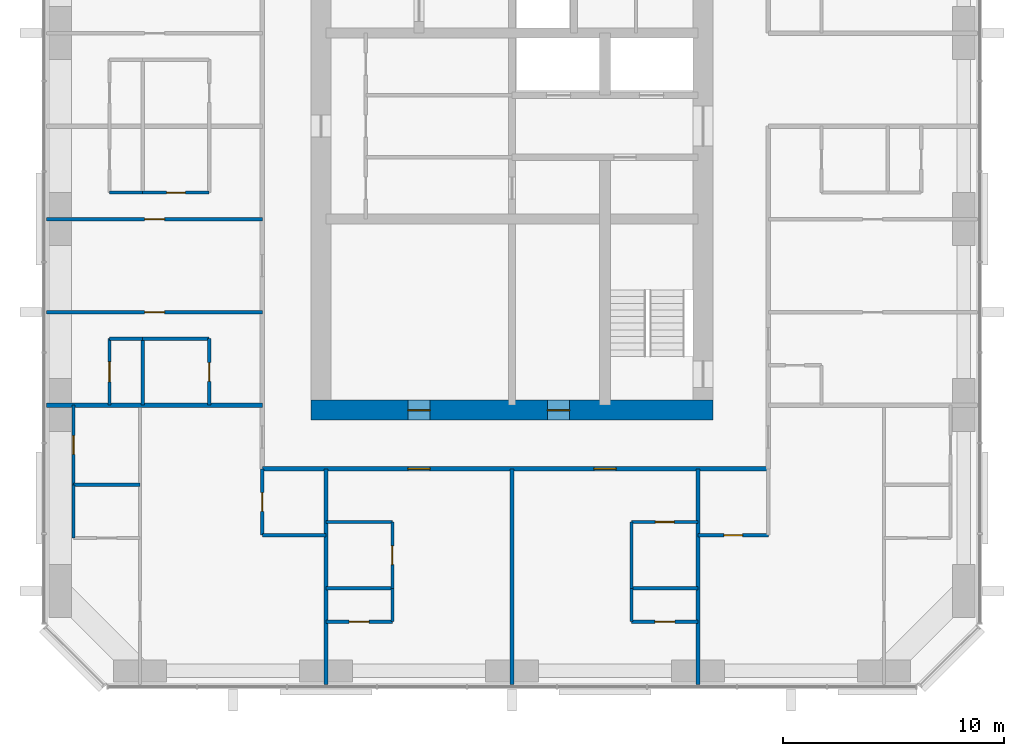
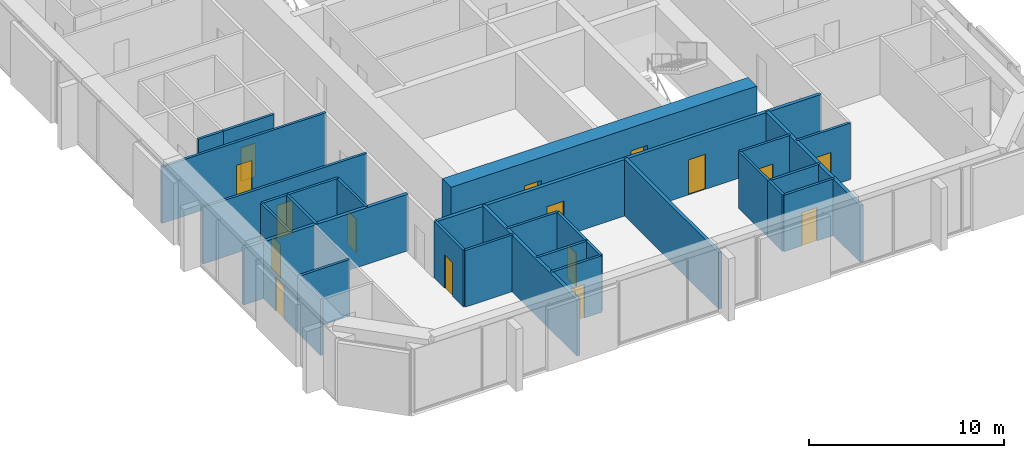
# One storey, part 7 of 12: 31 walls, 16 doors, 16 openings.
"""IFC4 building model written with IfcOpenShell, lengths in metres."""

from ifc_helpers import new_model, si_unit, direction, frame, frame_2d, origin, place, context, subcontext, project, spatial, rectangle, extrude, material, layer, layer_set, type_object, element, fill, save


model = new_model("IFC4")

# Units and contexts
model_context = context("Model", 3, precision=1e-05, world=origin(), true_north=direction((0.0, 1.0)))
body_context = subcontext(model_context, "Body", "Model", "MODEL_VIEW")
ifc_project = project(units=[si_unit("LENGTHUNIT", "METRE"), si_unit("AREAUNIT", "SQUARE_METRE"), si_unit("VOLUMEUNIT", "CUBIC_METRE"), si_unit("PLANEANGLEUNIT", "RADIAN"), si_unit("MASSUNIT", "GRAM", prefix="KILO")], contexts=[model_context])

# Site, building, storey
site_placement = place(None, origin())
site = spatial("IfcSite", under=ifc_project, at=site_placement, CompositionType="ELEMENT")
building_placement = place(site_placement, origin())
building = spatial("IfcBuilding", under=site, at=building_placement, Name="Dunama Terrace Hotel", CompositionType="ELEMENT")
storey_placement = place(building_placement, frame((0.0, 0.0, 237.300048828125)))
storey = spatial("IfcBuildingStorey", under=building, at=storey_placement, Name="L61", CompositionType="ELEMENT", Elevation=237.300048828125)

# Wall, opening, door
ifc_material_1 = material(Name="Gypsum board partition", Category="masonry")
ifc_layer_1 = layer(ifc_material_1, 0.14990234375)
ifc_layer_set_1 = layer_set([ifc_layer_1], Name="Bathroom partition 150")
wall_type_1 = type_object("IfcWallType", Name="Bathroom partition 150", PredefinedType="PARTITIONING", material=ifc_layer_set_1)
wall_1_placement = place(storey_placement, frame((13.800048828125, 13.199951171875, 0.0), z_axis=(0.0, 0.0, 1.0), x_axis=(0.0, 1.0, 0.0)))
wall_1 = element("IfcWall", 1, at=wall_1_placement, inside=storey, type_object=wall_type_1, Name="Bathroom partition 150 L61", PredefinedType="PARTITIONING", context=body_context, shape_type="SweptSolid", body=[
    extrude(rectangle(XDim=3.60009765625, YDim=0.14990234375, at=frame_2d((1.800048828125, 0.0))), origin(), (0.0, 0.0, 1.0), 3.550048828125),
])
opening_1_placement = place(wall_1_placement, frame((1.375, 0.0, 0.0)))
opening_1 = element("IfcOpeningElement", 2, at=opening_1_placement, cuts=wall_1, Name="Opening L61-047", PredefinedType="OPENING", context=body_context, shape_type="SweptSolid", body=[
    extrude(rectangle(XDim=0.85009765625, YDim=2.10009765625, at=frame_2d((0.425048828125, 1.050048828125))), frame((0.0, 0.0849609375, 0.0), z_axis=(0.0, -1.0, 0.0), x_axis=(1.0, 0.0, 0.0)), (0.0, 0.0, 1.0), 0.169921875),
])
ifc_material_2 = material(Name="Timber door with steel frame", Category="steel")
door_type_1 = type_object("IfcDoorType", Name="Bathroom door 850", OperationType="SINGLE_SWING_LEFT", PredefinedType="DOOR", material=ifc_material_2)
door_1_placement = place(opening_1_placement, frame((0.85009765625, 0.0, 0.0), z_axis=(0.0, 0.0, 1.0), x_axis=(-1.0, 0.0, 0.0)))
door_1 = element("IfcDoor", 3, at=door_1_placement, inside=storey, type_object=door_type_1, Name="Door to en-suite bathroom L61-047, type D2", OperationType="SINGLE_SWING_LEFT", OverallHeight=2.10009765625, OverallWidth=0.85009765625, PredefinedType="DOOR", context=body_context, shape_type="SweptSolid", body=[
    extrude(rectangle(XDim=0.85009765625, YDim=2.10009765625, at=frame_2d((0.425048828125, 1.050048828125))), frame((0.0, 0.025146484375, 0.0), z_axis=(0.0, -1.0, 0.0), x_axis=(1.0, 0.0, 0.0)), (0.0, 0.0, 1.0), 0.050048828125),
])
fill(opening_1, door_1)

wall_2_placement = place(storey_placement, frame((19.925048828125, 16.800048828125, 0.0), z_axis=(0.0, 0.0, 1.0), x_axis=(0.0, 1.0, 0.0)))
wall_2 = element("IfcWall", 4, at=wall_2_placement, inside=storey, type_object=wall_type_1, Name="Bathroom partition 150 L61", PredefinedType="PARTITIONING", context=body_context, shape_type="SweptSolid", body=[
    extrude(rectangle(XDim=3.0, YDim=0.14990234375, at=frame_2d((1.5, 0.0))), origin(), (0.0, 0.0, 1.0), 3.550048828125),
])
opening_2_placement = place(wall_2_placement, frame((1.074951171875, 0.0, 0.0)))
opening_2 = element("IfcOpeningElement", 5, at=opening_2_placement, cuts=wall_2, Name="Opening L61-032", PredefinedType="OPENING", context=body_context, shape_type="SweptSolid", body=[
    extrude(rectangle(XDim=0.85009765625, YDim=2.10009765625, at=frame_2d((0.425048828125, 1.050048828125))), frame((0.0, 0.0849609375, 0.0), z_axis=(0.0, -1.0, 0.0), x_axis=(1.0, 0.0, 0.0)), (0.0, 0.0, 1.0), 0.169921875),
])
door_2_placement = place(opening_2_placement, origin())
door_2 = element("IfcDoor", 6, at=door_2_placement, inside=storey, type_object=door_type_1, Name="Door to en-suite bathroom L61-032, type D2", OperationType="SINGLE_SWING_LEFT", OverallHeight=2.10009765625, OverallWidth=0.85009765625, PredefinedType="DOOR", context=body_context, shape_type="SweptSolid", body=[
    extrude(rectangle(XDim=0.85009765625, YDim=2.10009765625, at=frame_2d((0.425048828125, 1.050048828125))), frame((0.0, 0.02490234375, 0.0), z_axis=(0.0, -1.0, 0.0), x_axis=(1.0, 0.0, 0.0)), (0.0, 0.0, 1.0), 0.050048828125),
])
fill(opening_2, door_2)

wall_3_placement = place(storey_placement, frame((22.324951171875, 10.925048828125, 0.0), z_axis=(0.0, 0.0, 1.0), x_axis=(0.0, 1.0, 0.0)))
wall_3 = element("IfcWall", 7, at=wall_3_placement, inside=storey, type_object=wall_type_1, Name="Bathroom partition 150 L61", PredefinedType="PARTITIONING", context=body_context, shape_type="SweptSolid", body=[
    extrude(rectangle(XDim=3.0, YDim=0.14990234375, at=frame_2d((1.5, 0.0))), origin(), (0.0, 0.0, 1.0), 3.550048828125),
])
opening_3_placement = place(wall_3_placement, frame((1.074951171875, 0.0, 0.0)))
opening_3 = element("IfcOpeningElement", 8, at=opening_3_placement, cuts=wall_3, Name="Opening L61-045", PredefinedType="OPENING", context=body_context, shape_type="SweptSolid", body=[
    extrude(rectangle(XDim=0.85009765625, YDim=2.10009765625, at=frame_2d((0.425048828125, 1.050048828125))), frame((0.0, 0.0849609375, 0.0), z_axis=(0.0, -1.0, 0.0), x_axis=(1.0, 0.0, 0.0)), (0.0, 0.0, 1.0), 0.169921875),
])
door_3_placement = place(opening_3_placement, frame((0.85009765625, 0.0, 0.0), z_axis=(0.0, 0.0, 1.0), x_axis=(-1.0, 0.0, 0.0)))
door_3 = element("IfcDoor", 9, at=door_3_placement, inside=storey, type_object=door_type_1, Name="Door to powder room L61-045, type D2", OperationType="SINGLE_SWING_LEFT", OverallHeight=2.10009765625, OverallWidth=0.85009765625, PredefinedType="DOOR", context=body_context, shape_type="SweptSolid", body=[
    extrude(rectangle(XDim=0.85009765625, YDim=2.10009765625, at=frame_2d((0.425048828125, 1.050048828125))), frame((0.0, 0.025146484375, 0.0), z_axis=(0.0, -1.0, 0.0), x_axis=(1.0, 0.0, 0.0)), (0.0, 0.0, 1.0), 0.050048828125),
])
fill(opening_3, door_3)

wall_4_placement = place(storey_placement, frame((28.199951171875, 8.52490234375, 0.0), z_axis=(0.0, 0.0, 1.0), x_axis=(0.0, 1.0, 0.0)))
wall_4 = element("IfcWall", 10, at=wall_4_placement, inside=storey, type_object=wall_type_1, Name="Bathroom partition 150 L61", PredefinedType="PARTITIONING", context=body_context, shape_type="SweptSolid", body=[
    extrude(rectangle(XDim=3.0, YDim=0.14990234375, at=frame_2d((1.5, 0.0))), origin(), (0.0, 0.0, 1.0), 3.550048828125),
])
opening_4_placement = place(wall_4_placement, frame((1.074951171875, 0.0, 0.0)))
opening_4 = element("IfcOpeningElement", 11, at=opening_4_placement, cuts=wall_4, Name="Opening L61-008", PredefinedType="OPENING", context=body_context, shape_type="SweptSolid", body=[
    extrude(rectangle(XDim=0.85009765625, YDim=2.10009765625, at=frame_2d((0.425048828125, 1.050048828125))), frame((0.0, 0.0849609375, 0.0), z_axis=(0.0, -1.0, 0.0), x_axis=(1.0, 0.0, 0.0)), (0.0, 0.0, 1.0), 0.169921875),
])
door_4_placement = place(opening_4_placement, origin())
door_4 = element("IfcDoor", 12, at=door_4_placement, inside=storey, type_object=door_type_1, Name="Door to en-suite bathroom L61-008, type D2", OperationType="SINGLE_SWING_LEFT", OverallHeight=2.10009765625, OverallWidth=0.85009765625, PredefinedType="DOOR", context=body_context, shape_type="SweptSolid", body=[
    extrude(rectangle(XDim=0.85009765625, YDim=2.10009765625, at=frame_2d((0.425048828125, 1.050048828125))), frame((0.0, 0.02490234375, 0.0), z_axis=(0.0, -1.0, 0.0), x_axis=(1.0, 0.0, 0.0)), (0.0, 0.0, 1.0), 0.050048828125),
])
fill(opening_4, door_4)

# Walls
wall_5_placement = place(storey_placement, frame((39.0, 8.52490234375, 0.0), z_axis=(0.0, 0.0, 1.0), x_axis=(0.0, 1.0, 0.0)))
element("IfcWall", 13, at=wall_5_placement, inside=storey, type_object=wall_type_1, Name="Bathroom partition 150 L61", PredefinedType="PARTITIONING", context=body_context, shape_type="SweptSolid", body=[
    extrude(rectangle(XDim=3.0, YDim=0.14990234375, at=frame_2d((1.5, 0.0))), origin(), (0.0, 0.0, 1.0), 3.550048828125),
])
wall_6_placement = place(storey_placement, frame((22.324951171875, 10.925048828125, 0.0), z_axis=(0.0, 0.0, 1.0), x_axis=(1.0, 0.0, 0.0)))
element("IfcWall", 14, at=wall_6_placement, inside=storey, type_object=wall_type_1, Name="Bathroom partition 150 L61", PredefinedType="PARTITIONING", context=body_context, shape_type="SweptSolid", body=[
    extrude(rectangle(XDim=2.875, YDim=0.14990234375, at=frame_2d((1.4375, 0.0))), origin(), (0.0, 0.0, 1.0), 3.550048828125),
])

# Wall, opening, door
wall_7_placement = place(storey_placement, frame((42.0, 10.925048828125, 0.0), z_axis=(0.0, 0.0, 1.0), x_axis=(1.0, 0.0, 0.0)))
wall_7 = element("IfcWall", 15, at=wall_7_placement, inside=storey, type_object=wall_type_1, Name="Bathroom partition 150 L61", PredefinedType="PARTITIONING", context=body_context, shape_type="SweptSolid", body=[
    extrude(rectangle(XDim=3.175048828125, YDim=0.14990234375, at=frame_2d((1.58740234375, 0.0))), origin(), (0.0, 0.0, 1.0), 3.550048828125),
])
opening_5_placement = place(wall_7_placement, frame((1.1630859375, 0.0, 0.0)))
opening_5 = element("IfcOpeningElement", 16, at=opening_5_placement, cuts=wall_7, Name="Opening L61-050", PredefinedType="OPENING", context=body_context, shape_type="SweptSolid", body=[
    extrude(rectangle(XDim=0.85009765625, YDim=2.10009765625, at=frame_2d((0.425048828125, 1.050048828125))), frame((0.0, 0.0849609375, 0.0), z_axis=(0.0, -1.0, 0.0), x_axis=(1.0, 0.0, 0.0)), (0.0, 0.0, 1.0), 0.169921875),
])
door_5_placement = place(opening_5_placement, origin())
door_5 = element("IfcDoor", 17, at=door_5_placement, inside=storey, type_object=door_type_1, Name="Door to powder room L61-050, type D2", OperationType="SINGLE_SWING_LEFT", OverallHeight=2.10009765625, OverallWidth=0.85009765625, PredefinedType="DOOR", context=body_context, shape_type="SweptSolid", body=[
    extrude(rectangle(XDim=0.85009765625, YDim=2.10009765625, at=frame_2d((0.425048828125, 1.050048828125))), frame((0.0, 0.02490234375, 0.0), z_axis=(0.0, -1.0, 0.0), x_axis=(1.0, 0.0, 0.0)), (0.0, 0.0, 1.0), 0.050048828125),
])
fill(opening_5, door_5)

# Wall
wall_8_placement = place(storey_placement, frame((25.199951171875, 11.52490234375, 0.0), z_axis=(0.0, 0.0, 1.0), x_axis=(1.0, 0.0, 0.0)))
element("IfcWall", 18, at=wall_8_placement, inside=storey, type_object=wall_type_1, Name="Bathroom partition 150 L61", PredefinedType="PARTITIONING", context=body_context, shape_type="SweptSolid", body=[
    extrude(rectangle(XDim=3.0, YDim=0.14990234375, at=frame_2d((1.5, 0.0))), origin(), (0.0, 0.0, 1.0), 3.550048828125),
])

# Wall, opening, door
wall_9_placement = place(storey_placement, frame((39.0, 11.52490234375, 0.0), z_axis=(0.0, 0.0, 1.0), x_axis=(1.0, 0.0, 0.0)))
wall_9 = element("IfcWall", 19, at=wall_9_placement, inside=storey, type_object=wall_type_1, Name="Bathroom partition 150 L61", PredefinedType="PARTITIONING", context=body_context, shape_type="SweptSolid", body=[
    extrude(rectangle(XDim=3.0, YDim=0.14990234375, at=frame_2d((1.5, 0.0))), origin(), (0.0, 0.0, 1.0), 3.550048828125),
])
opening_6_placement = place(wall_9_placement, frame((1.074951171875, 0.0, 0.0)))
opening_6 = element("IfcOpeningElement", 20, at=opening_6_placement, cuts=wall_9, Name="Opening L61-011", PredefinedType="OPENING", context=body_context, shape_type="SweptSolid", body=[
    extrude(rectangle(XDim=0.85009765625, YDim=2.10009765625, at=frame_2d((0.425048828125, 1.050048828125))), frame((0.0, 0.0849609375, 0.0), z_axis=(0.0, -1.0, 0.0), x_axis=(1.0, 0.0, 0.0)), (0.0, 0.0, 1.0), 0.169921875),
])
door_6_placement = place(opening_6_placement, frame((0.85009765625, 0.0, 0.0), z_axis=(0.0, 0.0, 1.0), x_axis=(-1.0, 0.0, 0.0)))
door_6 = element("IfcDoor", 21, at=door_6_placement, inside=storey, type_object=door_type_1, Name="Door to en-suite bathroom L61-011, type D2", OperationType="SINGLE_SWING_LEFT", OverallHeight=2.10009765625, OverallWidth=0.85009765625, PredefinedType="DOOR", context=body_context, shape_type="SweptSolid", body=[
    extrude(rectangle(XDim=0.85009765625, YDim=2.10009765625, at=frame_2d((0.425048828125, 1.050048828125))), frame((0.0, 0.025146484375, 0.0), z_axis=(0.0, -1.0, 0.0), x_axis=(1.0, 0.0, 0.0)), (0.0, 0.0, 1.0), 0.050048828125),
])
fill(opening_6, door_6)

# Wall
wall_10_placement = place(storey_placement, frame((16.925048828125, 19.800048828125, 0.0), z_axis=(0.0, 0.0, 1.0), x_axis=(1.0, 0.0, 0.0)))
element("IfcWall", 22, at=wall_10_placement, inside=storey, type_object=wall_type_1, Name="Bathroom partition 150 L61", PredefinedType="PARTITIONING", context=body_context, shape_type="SweptSolid", body=[
    extrude(rectangle(XDim=3.0, YDim=0.14990234375, at=frame_2d((1.5, 0.0))), origin(), (0.0, 0.0, 1.0), 3.550048828125),
])

# Wall, opening, door
wall_11_placement = place(storey_placement, frame((16.925048828125, 26.39990234375, 0.0), z_axis=(0.0, 0.0, 1.0), x_axis=(1.0, 0.0, 0.0)))
wall_11 = element("IfcWall", 23, at=wall_11_placement, inside=storey, type_object=wall_type_1, Name="Bathroom partition 150 L61", PredefinedType="PARTITIONING", context=body_context, shape_type="SweptSolid", body=[
    extrude(rectangle(XDim=3.0, YDim=0.14990234375, at=frame_2d((1.5, 0.0))), origin(), (0.0, 0.0, 1.0), 3.550048828125),
])
opening_7_placement = place(wall_11_placement, frame((1.074951171875, 0.0, 0.0)))
opening_7 = element("IfcOpeningElement", 24, at=opening_7_placement, cuts=wall_11, Name="Opening L61-035", PredefinedType="OPENING", context=body_context, shape_type="SweptSolid", body=[
    extrude(rectangle(XDim=0.85009765625, YDim=2.10009765625, at=frame_2d((0.425048828125, 1.050048828125))), frame((0.0, 0.0849609375, 0.0), z_axis=(0.0, -1.0, 0.0), x_axis=(1.0, 0.0, 0.0)), (0.0, 0.0, 1.0), 0.169921875),
])
door_7_placement = place(opening_7_placement, origin())
door_7 = element("IfcDoor", 25, at=door_7_placement, inside=storey, type_object=door_type_1, Name="Door to en-suite bathroom L61-035, type D2", OperationType="SINGLE_SWING_LEFT", OverallHeight=2.10009765625, OverallWidth=0.85009765625, PredefinedType="DOOR", context=body_context, shape_type="SweptSolid", body=[
    extrude(rectangle(XDim=0.85009765625, YDim=2.10009765625, at=frame_2d((0.425048828125, 1.050048828125))), frame((0.0, 0.02490234375, 0.0), z_axis=(0.0, -1.0, 0.0), x_axis=(1.0, 0.0, 0.0)), (0.0, 0.0, 1.0), 0.050048828125),
])
fill(opening_7, door_7)

# Wall, openings, doors
ifc_material_3 = material(Name="Concrete C60/75", Category="concrete")
ifc_layer_2 = layer(ifc_material_3, 0.89990234375)
ifc_layer_set_2 = layer_set([ifc_layer_2], Name="Core wall 900")
wall_type_2 = type_object("IfcWallType", Name="Core wall 900", PredefinedType="SHEAR", material=ifc_layer_set_2)
wall_12_placement = place(storey_placement, frame((24.52490234375, 16.574951171875, -0.35009765625), z_axis=(0.0, 0.0, 1.0), x_axis=(1.0, 0.0, 0.0)))
wall_12 = element("IfcWall", 26, at=wall_12_placement, inside=storey, type_object=wall_type_2, Name="Core wall south L61", PredefinedType="SHEAR", context=body_context, shape_type="SweptSolid", body=[
    extrude(rectangle(XDim=18.150146484375, YDim=0.89990234375, at=frame_2d((9.0751953125, 0.0))), origin(), (0.0, 0.0, 1.0), 3.900146484375),
])
opening_8_placement = place(wall_12_placement, frame((4.375, 0.0, 0.35009765625)))
opening_8 = element("IfcOpeningElement", 27, at=opening_8_placement, cuts=wall_12, Name="Opening L61-074", PredefinedType="OPENING", context=body_context, shape_type="SweptSolid", body=[
    extrude(rectangle(XDim=1.0, YDim=2.10009765625, at=frame_2d((0.5, 1.050048828125))), frame((0.0, 0.4599609375, 0.0), z_axis=(0.0, -1.0, 0.0), x_axis=(1.0, 0.0, 0.0)), (0.0, 0.0, 1.0), 0.919921875),
])
opening_9_placement = place(wall_12_placement, frame((10.675048828125, 0.0, 0.35009765625)))
opening_9 = element("IfcOpeningElement", 28, at=opening_9_placement, cuts=wall_12, Name="Opening L61-075", PredefinedType="OPENING", context=body_context, shape_type="SweptSolid", body=[
    extrude(rectangle(XDim=1.0, YDim=2.10009765625, at=frame_2d((0.5, 1.050048828125))), frame((0.0, 0.4599609375, 0.0), z_axis=(0.0, -1.0, 0.0), x_axis=(1.0, 0.0, 0.0)), (0.0, 0.0, 1.0), 0.919921875),
])
ifc_material_4 = material(Name="Timber door with steel frame", Category="steel")
door_type_2 = type_object("IfcDoorType", Name="Service door 1000", OperationType="SINGLE_SWING_LEFT", PredefinedType="DOOR", material=ifc_material_4)
door_8_placement = place(opening_8_placement, origin())
door_8 = element("IfcDoor", 29, at=door_8_placement, inside=storey, type_object=door_type_2, Name="Door to corridor air handling room L61-074, type D7", OperationType="SINGLE_SWING_LEFT", OverallHeight=2.10009765625, OverallWidth=1.0, PredefinedType="DOOR", context=body_context, shape_type="SweptSolid", body=[
    extrude(rectangle(XDim=1.0, YDim=2.10009765625, at=frame_2d((0.5, 1.050048828125))), frame((0.0, 0.02490234375, 0.0), z_axis=(0.0, -1.0, 0.0), x_axis=(1.0, 0.0, 0.0)), (0.0, 0.0, 1.0), 0.050048828125),
])
fill(opening_8, door_8)
door_9_placement = place(opening_9_placement, origin())
door_9 = element("IfcDoor", 30, at=door_9_placement, inside=storey, type_object=door_type_2, Name="Door to water riser room L61-075, type D7", OperationType="SINGLE_SWING_RIGHT", OverallHeight=2.10009765625, OverallWidth=1.0, PredefinedType="DOOR", context=body_context, shape_type="SweptSolid", body=[
    extrude(rectangle(XDim=1.0, YDim=2.10009765625, at=frame_2d((0.5, 1.050048828125))), frame((0.0, 0.02490234375, 0.0), z_axis=(0.0, -1.0, 0.0), x_axis=(1.0, 0.0, 0.0)), (0.0, 0.0, 1.0), 0.050048828125),
])
fill(opening_9, door_9)

ifc_material_5 = material(Name="Concrete blockwork", Category="masonry")
ifc_layer_3 = layer(ifc_material_5, 0.199951171875)
ifc_layer_set_3 = layer_set([ifc_layer_3], Name="Corridor partition 200")
wall_type_3 = type_object("IfcWallType", Name="Corridor partition 200", PredefinedType="PARTITIONING", material=ifc_layer_set_3)
wall_13_placement = place(storey_placement, frame((45.175048828125, 13.925048828125, 0.0), z_axis=(0.0, 0.0, 1.0), x_axis=(-1.0, 0.0, 0.0)))
wall_13 = element("IfcWall", 31, at=wall_13_placement, inside=storey, type_object=wall_type_3, Name="Corridor partition 200 L61", PredefinedType="PARTITIONING", context=body_context, shape_type="SweptSolid", body=[
    extrude(rectangle(XDim=22.85009765625, YDim=0.199951171875, at=frame_2d((11.425048828125, 0.0))), origin(), (0.0, 0.0, 1.0), 3.550048828125),
])
opening_10_placement = place(wall_13_placement, frame((15.27490234375, 0.0, 0.0)))
opening_10 = element("IfcOpeningElement", 32, at=opening_10_placement, cuts=wall_13, Name="Opening L61-007", PredefinedType="OPENING", context=body_context, shape_type="SweptSolid", body=[
    extrude(rectangle(XDim=1.0, YDim=2.199951171875, at=frame_2d((0.5, 1.10009765625))), frame((0.0, 0.10986328125, 0.0), z_axis=(0.0, -1.0, 0.0), x_axis=(1.0, 0.0, 0.0)), (0.0, 0.0, 1.0), 0.219970703125),
])
opening_11_placement = place(wall_13_placement, frame((6.875, 0.0, 0.0)))
opening_11 = element("IfcOpeningElement", 33, at=opening_11_placement, cuts=wall_13, Name="Opening L61-010", PredefinedType="OPENING", context=body_context, shape_type="SweptSolid", body=[
    extrude(rectangle(XDim=1.0, YDim=2.199951171875, at=frame_2d((0.5, 1.10009765625))), frame((0.0, 0.10986328125, 0.0), z_axis=(0.0, -1.0, 0.0), x_axis=(1.0, 0.0, 0.0)), (0.0, 0.0, 1.0), 0.219970703125),
])
ifc_material_6 = material(Name="Timber door with steel frame", Category="steel")
door_type_3 = type_object("IfcDoorType", Name="Guest room door 1000", OperationType="SINGLE_SWING_LEFT", PredefinedType="DOOR", material=ifc_material_6)
door_10_placement = place(opening_10_placement, origin())
door_10 = element("IfcDoor", 34, at=door_10_placement, inside=storey, type_object=door_type_3, Name="Door to junior suite L61-007, type D1", OperationType="SINGLE_SWING_RIGHT", OverallHeight=2.199951171875, OverallWidth=1.0, PredefinedType="DOOR", context=body_context, shape_type="SweptSolid", body=[
    extrude(rectangle(XDim=1.0, YDim=2.199951171875, at=frame_2d((0.5, 1.10009765625))), frame((0.0, 0.02490234375, 0.0), z_axis=(0.0, -1.0, 0.0), x_axis=(1.0, 0.0, 0.0)), (0.0, 0.0, 1.0), 0.050048828125),
])
fill(opening_10, door_10)
door_11_placement = place(opening_11_placement, origin())
door_11 = element("IfcDoor", 35, at=door_11_placement, inside=storey, type_object=door_type_3, Name="Door to junior suite L61-010, type D1", OperationType="SINGLE_SWING_LEFT", OverallHeight=2.199951171875, OverallWidth=1.0, PredefinedType="DOOR", context=body_context, shape_type="SweptSolid", body=[
    extrude(rectangle(XDim=1.0, YDim=2.199951171875, at=frame_2d((0.5, 1.10009765625))), frame((0.0, 0.02490234375, 0.0), z_axis=(0.0, -1.0, 0.0), x_axis=(1.0, 0.0, 0.0)), (0.0, 0.0, 1.0), 0.050048828125),
])
fill(opening_11, door_11)

# Walls
ifc_material_7 = material(Name="Concrete blockwork", Category="masonry")
ifc_layer_4 = layer(ifc_material_7, 0.199951171875)
ifc_layer_set_4 = layer_set([ifc_layer_4], Name="Party wall 200")
wall_type_4 = type_object("IfcWallType", Name="Party wall 200", PredefinedType="PARTITIONING", material=ifc_layer_set_4)
for number, where, z_axis, x_axis, name in (
    (36, (25.199951171875, 4.181884765625, 0.0), (0.0, 0.0, 1.0), (0.0, 1.0, 0.0), "Party wall 200 L61"),
    (37, (33.60009765625, 4.181884765625, 0.0), (0.0, 0.0, 1.0), (0.0, 1.0, 0.0), "Party wall 200 L61"),
    (38, (42.0, 4.181884765625, 0.0), (0.0, 0.0, 1.0), (0.0, 1.0, 0.0), "Party wall 200 L61"),
):
    element("IfcWall", number, at=place(storey_placement, frame(where, z_axis=z_axis, x_axis=x_axis)), inside=storey, type_object=wall_type_4, Name=name, PredefinedType="PARTITIONING", context=body_context, shape_type="SweptSolid", body=[
        extrude(rectangle(XDim=9.7431640625, YDim=0.199951171875, at=frame_2d((4.87158203125, 0.0))), origin(), (0.0, 0.0, 1.0), 3.550048828125),
    ])
wall_14_placement = place(storey_placement, frame((12.58203125, 16.800048828125, 0.0), z_axis=(0.0, 0.0, 1.0), x_axis=(1.0, 0.0, 0.0)))
element("IfcWall", 39, at=wall_14_placement, inside=storey, type_object=wall_type_4, Name="Party wall 200 L61", PredefinedType="PARTITIONING", context=body_context, shape_type="SweptSolid", body=[
    extrude(rectangle(XDim=9.742919921875, YDim=0.199951171875, at=frame_2d((4.87158203125, 0.0))), origin(), (0.0, 0.0, 1.0), 3.550048828125),
])
ifc_material_8 = material(Name="Gypsum board partition", Category="masonry")
ifc_layer_5 = layer(ifc_material_8, 0.14990234375)
ifc_layer_set_5 = layer_set([ifc_layer_5], Name="Room partition 150")
wall_type_5 = type_object("IfcWallType", Name="Room partition 150", PredefinedType="PARTITIONING", material=ifc_layer_set_5)
wall_15_placement = place(storey_placement, frame((13.800048828125, 10.800048828125, 0.0), z_axis=(0.0, 0.0, 1.0), x_axis=(0.0, 1.0, 0.0)))
element("IfcWall", 40, at=wall_15_placement, inside=storey, type_object=wall_type_5, Name="Room partition 150 L61", PredefinedType="PARTITIONING", context=body_context, shape_type="SweptSolid", body=[
    extrude(rectangle(XDim=2.39990234375, YDim=0.14990234375, at=frame_2d((1.199951171875, 0.0))), origin(), (0.0, 0.0, 1.0), 3.550048828125),
])

# Wall, opening, door
wall_16_placement = place(storey_placement, frame((15.425048828125, 16.800048828125, 0.0), z_axis=(0.0, 0.0, 1.0), x_axis=(0.0, 1.0, 0.0)))
wall_16 = element("IfcWall", 41, at=wall_16_placement, inside=storey, type_object=wall_type_5, Name="Room partition 150 L61", PredefinedType="PARTITIONING", context=body_context, shape_type="SweptSolid", body=[
    extrude(rectangle(XDim=3.0, YDim=0.14990234375, at=frame_2d((1.5, 0.0))), origin(), (0.0, 0.0, 1.0), 3.550048828125),
])
opening_12_placement = place(wall_16_placement, frame((1.050048828125, 0.0, 0.0)))
opening_12 = element("IfcOpeningElement", 42, at=opening_12_placement, cuts=wall_16, Name="Opening L61-033", PredefinedType="OPENING", context=body_context, shape_type="SweptSolid", body=[
    extrude(rectangle(XDim=0.89990234375, YDim=2.10009765625, at=frame_2d((0.449951171875, 1.050048828125))), frame((0.0, 0.0849609375, 0.0), z_axis=(0.0, -1.0, 0.0), x_axis=(1.0, 0.0, 0.0)), (0.0, 0.0, 1.0), 0.169921875),
])
ifc_material_9 = material(Name="Timber door with steel frame", Category="steel")
door_type_4 = type_object("IfcDoorType", Name="Suite internal door 900", OperationType="SINGLE_SWING_LEFT", PredefinedType="DOOR", material=ifc_material_9)
door_12_placement = place(opening_12_placement, frame((0.89990234375, 0.0, 0.0), z_axis=(0.0, 0.0, 1.0), x_axis=(-1.0, 0.0, 0.0)))
door_12 = element("IfcDoor", 43, at=door_12_placement, inside=storey, type_object=door_type_4, Name="Door to walk-in wardrobe L61-033, type D16", OperationType="SINGLE_SWING_RIGHT", OverallHeight=2.10009765625, OverallWidth=0.89990234375, PredefinedType="DOOR", context=body_context, shape_type="SweptSolid", body=[
    extrude(rectangle(XDim=0.89990234375, YDim=2.10009765625, at=frame_2d((0.449951171875, 1.050048828125))), frame((0.0, 0.025146484375, 0.0), z_axis=(0.0, -1.0, 0.0), x_axis=(1.0, 0.0, 0.0)), (0.0, 0.0, 1.0), 0.050048828125),
])
fill(opening_12, door_12)

# Walls
wall_17_placement = place(storey_placement, frame((16.925048828125, 16.800048828125, 0.0), z_axis=(0.0, 0.0, 1.0), x_axis=(0.0, 1.0, 0.0)))
element("IfcWall", 44, at=wall_17_placement, inside=storey, type_object=wall_type_5, Name="Room partition 150 L61", PredefinedType="PARTITIONING", context=body_context, shape_type="SweptSolid", body=[
    extrude(rectangle(XDim=3.0, YDim=0.14990234375, at=frame_2d((1.5, 0.0))), origin(), (0.0, 0.0, 1.0), 3.550048828125),
])
for number, where, z_axis, x_axis, name in (
    (45, (28.199951171875, 7.02490234375, 0.0), (0.0, 0.0, 1.0), (0.0, 1.0, 0.0), "Room partition 150 L61"),
    (46, (39.0, 7.02490234375, 0.0), (0.0, 0.0, 1.0), (0.0, 1.0, 0.0), "Room partition 150 L61"),
):
    element("IfcWall", number, at=place(storey_placement, frame(where, z_axis=z_axis, x_axis=x_axis)), inside=storey, type_object=wall_type_5, Name=name, PredefinedType="PARTITIONING", context=body_context, shape_type="SweptSolid", body=[
        extrude(rectangle(XDim=1.5, YDim=0.14990234375, at=frame_2d((0.75, 0.0))), origin(), (0.0, 0.0, 1.0), 3.550048828125),
    ])

# Wall, opening, door
wall_18_placement = place(storey_placement, frame((25.199951171875, 7.02490234375, 0.0), z_axis=(0.0, 0.0, 1.0), x_axis=(1.0, 0.0, 0.0)))
wall_18 = element("IfcWall", 47, at=wall_18_placement, inside=storey, type_object=wall_type_5, Name="Room partition 150 L61", PredefinedType="PARTITIONING", context=body_context, shape_type="SweptSolid", body=[
    extrude(rectangle(XDim=3.0, YDim=0.14990234375, at=frame_2d((1.5, 0.0))), origin(), (0.0, 0.0, 1.0), 3.550048828125),
])
opening_13_placement = place(wall_18_placement, frame((1.050048828125, 0.0, 0.0)))
opening_13 = element("IfcOpeningElement", 48, at=opening_13_placement, cuts=wall_18, Name="Opening L61-009", PredefinedType="OPENING", context=body_context, shape_type="SweptSolid", body=[
    extrude(rectangle(XDim=0.89990234375, YDim=2.10009765625, at=frame_2d((0.449951171875, 1.050048828125))), frame((0.0, 0.0849609375, 0.0), z_axis=(0.0, -1.0, 0.0), x_axis=(1.0, 0.0, 0.0)), (0.0, 0.0, 1.0), 0.169921875),
])
door_13_placement = place(opening_13_placement, origin())
door_13 = element("IfcDoor", 49, at=door_13_placement, inside=storey, type_object=door_type_4, Name="Door to walk-in wardrobe L61-009, type D16", OperationType="SINGLE_SWING_LEFT", OverallHeight=2.10009765625, OverallWidth=0.89990234375, PredefinedType="DOOR", context=body_context, shape_type="SweptSolid", body=[
    extrude(rectangle(XDim=0.89990234375, YDim=2.10009765625, at=frame_2d((0.449951171875, 1.050048828125))), frame((0.0, 0.02490234375, 0.0), z_axis=(0.0, -1.0, 0.0), x_axis=(1.0, 0.0, 0.0)), (0.0, 0.0, 1.0), 0.050048828125),
])
fill(opening_13, door_13)

wall_19_placement = place(storey_placement, frame((39.0, 7.02490234375, 0.0), z_axis=(0.0, 0.0, 1.0), x_axis=(1.0, 0.0, 0.0)))
wall_19 = element("IfcWall", 50, at=wall_19_placement, inside=storey, type_object=wall_type_5, Name="Room partition 150 L61", PredefinedType="PARTITIONING", context=body_context, shape_type="SweptSolid", body=[
    extrude(rectangle(XDim=3.0, YDim=0.14990234375, at=frame_2d((1.5, 0.0))), origin(), (0.0, 0.0, 1.0), 3.550048828125),
])
opening_14_placement = place(wall_19_placement, frame((1.050048828125, 0.0, 0.0)))
opening_14 = element("IfcOpeningElement", 51, at=opening_14_placement, cuts=wall_19, Name="Opening L61-012", PredefinedType="OPENING", context=body_context, shape_type="SweptSolid", body=[
    extrude(rectangle(XDim=0.89990234375, YDim=2.10009765625, at=frame_2d((0.449951171875, 1.050048828125))), frame((0.0, 0.0849609375, 0.0), z_axis=(0.0, -1.0, 0.0), x_axis=(1.0, 0.0, 0.0)), (0.0, 0.0, 1.0), 0.169921875),
])
door_14_placement = place(opening_14_placement, origin())
door_14 = element("IfcDoor", 52, at=door_14_placement, inside=storey, type_object=door_type_4, Name="Door to walk-in wardrobe L61-012, type D16", OperationType="SINGLE_SWING_LEFT", OverallHeight=2.10009765625, OverallWidth=0.89990234375, PredefinedType="DOOR", context=body_context, shape_type="SweptSolid", body=[
    extrude(rectangle(XDim=0.89990234375, YDim=2.10009765625, at=frame_2d((0.449951171875, 1.050048828125))), frame((0.0, 0.02490234375, 0.0), z_axis=(0.0, -1.0, 0.0), x_axis=(1.0, 0.0, 0.0)), (0.0, 0.0, 1.0), 0.050048828125),
])
fill(opening_14, door_14)

# Walls
for number, where, z_axis, x_axis, name in (
    (53, (25.199951171875, 8.52490234375, 0.0), (0.0, 0.0, 1.0), (1.0, 0.0, 0.0), "Room partition 150 L61"),
    (54, (39.0, 8.52490234375, 0.0), (0.0, 0.0, 1.0), (1.0, 0.0, 0.0), "Room partition 150 L61"),
    (55, (13.800048828125, 13.199951171875, 0.0), (0.0, 0.0, 1.0), (1.0, 0.0, 0.0), "Room partition 150 L61"),
):
    element("IfcWall", number, at=place(storey_placement, frame(where, z_axis=z_axis, x_axis=x_axis)), inside=storey, type_object=wall_type_5, Name=name, PredefinedType="PARTITIONING", context=body_context, shape_type="SweptSolid", body=[
        extrude(rectangle(XDim=3.0, YDim=0.14990234375, at=frame_2d((1.5, 0.0))), origin(), (0.0, 0.0, 1.0), 3.550048828125),
    ])
wall_20_placement = place(storey_placement, frame((15.425048828125, 19.800048828125, 0.0), z_axis=(0.0, 0.0, 1.0), x_axis=(1.0, 0.0, 0.0)))
element("IfcWall", 56, at=wall_20_placement, inside=storey, type_object=wall_type_5, Name="Room partition 150 L61", PredefinedType="PARTITIONING", context=body_context, shape_type="SweptSolid", body=[
    extrude(rectangle(XDim=1.5, YDim=0.14990234375, at=frame_2d((0.75, 0.0))), origin(), (0.0, 0.0, 1.0), 3.550048828125),
])

# Wall, opening, door
wall_21_placement = place(storey_placement, frame((12.58203125, 21.0, 0.0), z_axis=(0.0, 0.0, 1.0), x_axis=(1.0, 0.0, 0.0)))
wall_21 = element("IfcWall", 57, at=wall_21_placement, inside=storey, type_object=wall_type_5, Name="Room partition 150 L61", PredefinedType="PARTITIONING", context=body_context, shape_type="SweptSolid", body=[
    extrude(rectangle(XDim=9.742919921875, YDim=0.14990234375, at=frame_2d((4.87158203125, 0.0))), origin(), (0.0, 0.0, 1.0), 3.550048828125),
])
opening_15_placement = place(wall_21_placement, frame((4.429931640625, 0.0, 0.0)))
opening_15 = element("IfcOpeningElement", 58, at=opening_15_placement, cuts=wall_21, Name="Opening L61-031", PredefinedType="OPENING", context=body_context, shape_type="SweptSolid", body=[
    extrude(rectangle(XDim=0.89990234375, YDim=2.10009765625, at=frame_2d((0.449951171875, 1.050048828125))), frame((0.0, 0.0849609375, 0.0), z_axis=(0.0, -1.0, 0.0), x_axis=(1.0, 0.0, 0.0)), (0.0, 0.0, 1.0), 0.169921875),
])
door_15_placement = place(opening_15_placement, frame((0.89990234375, 0.0, 0.0), z_axis=(0.0, 0.0, 1.0), x_axis=(-1.0, 0.0, 0.0)))
door_15 = element("IfcDoor", 59, at=door_15_placement, inside=storey, type_object=door_type_4, Name="Door to two-bedroom suite bedroom L61-031, type D16", OperationType="SINGLE_SWING_RIGHT", OverallHeight=2.10009765625, OverallWidth=0.89990234375, PredefinedType="DOOR", context=body_context, shape_type="SweptSolid", body=[
    extrude(rectangle(XDim=0.89990234375, YDim=2.10009765625, at=frame_2d((0.449951171875, 1.050048828125))), frame((0.0, 0.025146484375, 0.0), z_axis=(0.0, -1.0, 0.0), x_axis=(1.0, 0.0, 0.0)), (0.0, 0.0, 1.0), 0.050048828125),
])
fill(opening_15, door_15)

wall_22_placement = place(storey_placement, frame((12.58203125, 25.199951171875, 0.0), z_axis=(0.0, 0.0, 1.0), x_axis=(1.0, 0.0, 0.0)))
wall_22 = element("IfcWall", 60, at=wall_22_placement, inside=storey, type_object=wall_type_5, Name="Room partition 150 L61", PredefinedType="PARTITIONING", context=body_context, shape_type="SweptSolid", body=[
    extrude(rectangle(XDim=9.742919921875, YDim=0.14990234375, at=frame_2d((4.87158203125, 0.0))), origin(), (0.0, 0.0, 1.0), 3.550048828125),
])
opening_16_placement = place(wall_22_placement, frame((4.429931640625, 0.0, 0.0)))
opening_16 = element("IfcOpeningElement", 61, at=opening_16_placement, cuts=wall_22, Name="Opening L61-034", PredefinedType="OPENING", context=body_context, shape_type="SweptSolid", body=[
    extrude(rectangle(XDim=0.89990234375, YDim=2.10009765625, at=frame_2d((0.449951171875, 1.050048828125))), frame((0.0, 0.0849609375, 0.0), z_axis=(0.0, -1.0, 0.0), x_axis=(1.0, 0.0, 0.0)), (0.0, 0.0, 1.0), 0.169921875),
])
door_16_placement = place(opening_16_placement, origin())
door_16 = element("IfcDoor", 62, at=door_16_placement, inside=storey, type_object=door_type_4, Name="Door to two-bedroom suite second bedroom L61-034, type D16", OperationType="SINGLE_SWING_LEFT", OverallHeight=2.10009765625, OverallWidth=0.89990234375, PredefinedType="DOOR", context=body_context, shape_type="SweptSolid", body=[
    extrude(rectangle(XDim=0.89990234375, YDim=2.10009765625, at=frame_2d((0.449951171875, 1.050048828125))), frame((0.0, 0.02490234375, 0.0), z_axis=(0.0, -1.0, 0.0), x_axis=(1.0, 0.0, 0.0)), (0.0, 0.0, 1.0), 0.050048828125),
])
fill(opening_16, door_16)

# Wall
wall_23_placement = place(storey_placement, frame((15.425048828125, 26.39990234375, 0.0), z_axis=(0.0, 0.0, 1.0), x_axis=(1.0, 0.0, 0.0)))
element("IfcWall", 63, at=wall_23_placement, inside=storey, type_object=wall_type_5, Name="Room partition 150 L61", PredefinedType="PARTITIONING", context=body_context, shape_type="SweptSolid", body=[
    extrude(rectangle(XDim=1.5, YDim=0.14990234375, at=frame_2d((0.75, 0.0))), origin(), (0.0, 0.0, 1.0), 3.550048828125),
])

save(model, "model.ifc")
